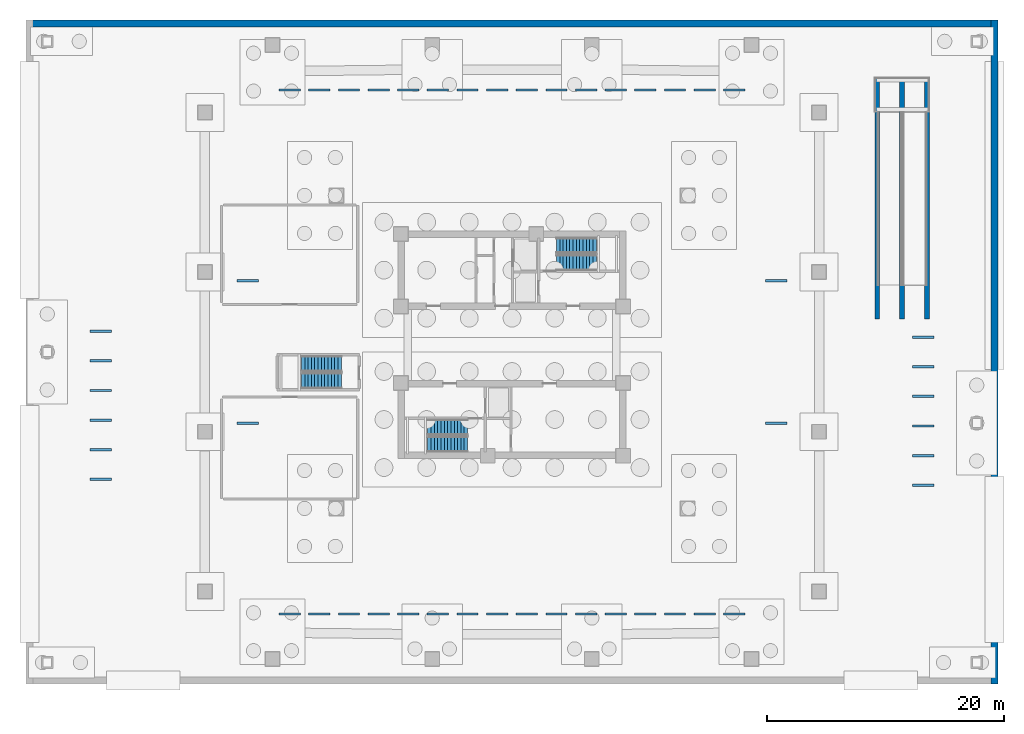
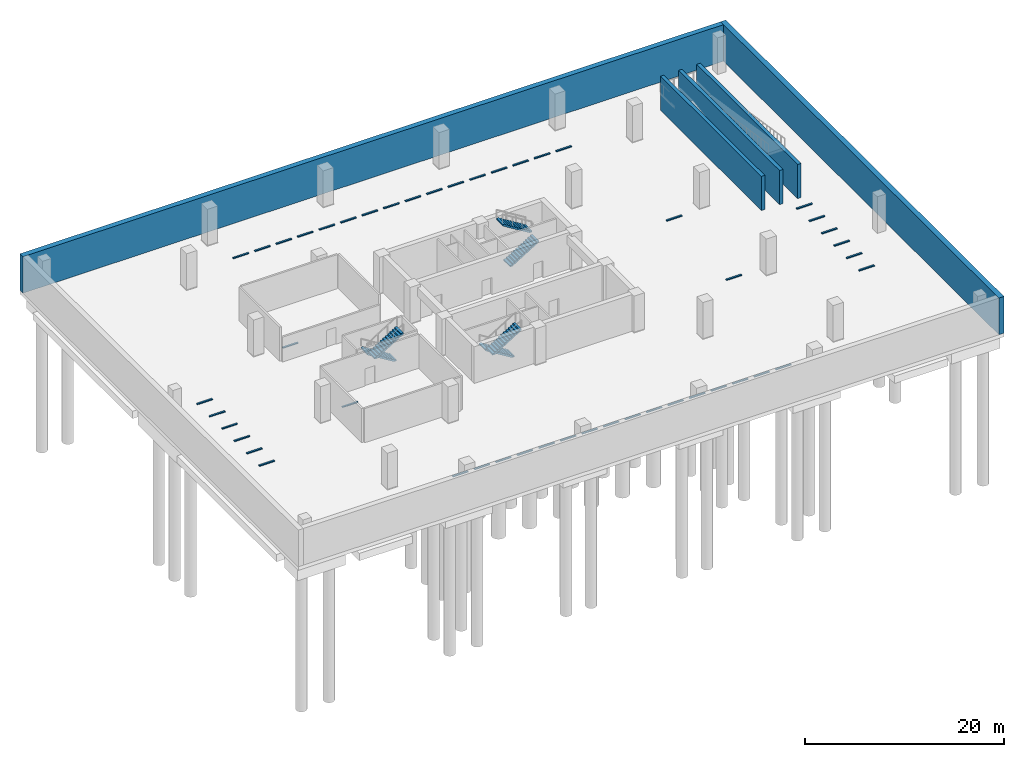
# One storey, part 5 of 8: 48 discrete accessories, 6 stair flights, 5 walls, 3 elements without a shape of their own.
"""IFC4 building model written with IfcOpenShell, lengths in metres."""

from ifc_helpers import new_model, si_unit, direction, frame, frame_2d, origin, origin_2d, place, context, subcontext, project, spatial, polyline, rectangle, outline, extrude, material, layer, layer_set, type_object, element, aggregate, save


model = new_model("IFC4")

# Units and contexts
model_context = context("Model", 3, precision=1e-05, world=origin(), true_north=direction((0.0, 1.0)))
body_context = subcontext(model_context, "Body", "Model", "MODEL_VIEW")
ifc_project = project(units=[si_unit("LENGTHUNIT", "METRE"), si_unit("AREAUNIT", "SQUARE_METRE"), si_unit("VOLUMEUNIT", "CUBIC_METRE"), si_unit("PLANEANGLEUNIT", "RADIAN"), si_unit("MASSUNIT", "GRAM", prefix="KILO")], contexts=[model_context])

# Site, building, storey
site_placement = place(None, origin())
site = spatial("IfcSite", under=ifc_project, at=site_placement, CompositionType="ELEMENT")
building_placement = place(site_placement, origin())
building = spatial("IfcBuilding", under=site, at=building_placement, Name="Qhalaya Broadcast Tower", CompositionType="ELEMENT")
storey_placement = place(building_placement, frame((0.0, 0.0, -9.0)))
storey = spatial("IfcBuildingStorey", under=building, at=storey_placement, Name="B02", CompositionType="ELEMENT", Elevation=-9.0)

# Walls
ifc_material_1 = material(Name="Concrete C45/55", Category="concrete")
ifc_layer_1 = layer(ifc_material_1, 0.60009765625, Name="Concrete C45/55")
ifc_layer_set_1 = layer_set([ifc_layer_1], Name="Concrete C45/55")
wall_type_1 = type_object("IfcWallType", Name="Basement Perimeter Retaining Wall 600", PredefinedType="USERDEFINED", material=ifc_layer_set_1)
wall_1_placement = place(storey_placement, frame((-41.0, 27.699951171875, 0.0), z_axis=(0.0, 0.0, 1.0), x_axis=(1.0, 0.0, 0.0)))
element("IfcWall", 1, at=wall_1_placement, inside=storey, type_object=wall_type_1, Name="B02 Basement Retaining Wall RW-N", ObjectType="RETAININGWALL", PredefinedType="USERDEFINED", context=body_context, shape_type="SweptSolid", body=[
    extrude(rectangle(XDim=82.0, YDim=0.60009765625, at=frame_2d((41.0, 0.0))), origin(), (0.0, 0.0, 1.0), 4.5),
])
wall_2_placement = place(storey_placement, frame((40.699951171875, -28.0, 0.0), z_axis=(0.0, 0.0, 1.0), x_axis=(0.0, 1.0, 0.0)))
element("IfcWall", 2, at=wall_2_placement, inside=storey, type_object=wall_type_1, Name="B02 Basement Retaining Wall RW-E", ObjectType="RETAININGWALL", PredefinedType="USERDEFINED", context=body_context, shape_type="SweptSolid", body=[
    extrude(rectangle(XDim=56.0, YDim=0.60009765625, at=frame_2d((28.0, 0.0))), origin(), (0.0, 0.0, 1.0), 4.5),
])
ifc_material_2 = material(Name="Concrete C60/75", Category="concrete")
ifc_layer_2 = layer(ifc_material_2, 0.550048828125, Name="Concrete C60/75")
ifc_layer_set_2 = layer_set([ifc_layer_2], Name="Concrete C60/75")
wall_type_2 = type_object("IfcWallType", Name="Lower Split-Core Shear Wall 550", PredefinedType="SHEAR", material=ifc_layer_set_2)
for number, where, z_axis, x_axis, name in (
    (3, (30.800048828125, 2.800048828125, 0.0), (0.0, 0.0, 1.0), (0.0, 1.0, 0.0), "B02 Vehicle Ramp Support Wall RMW-W"),
    (4, (32.89990234375, 2.800048828125, 0.0), (0.0, 0.0, 1.0), (0.0, 1.0, 0.0), "B02 Vehicle Ramp Support Wall RMW-M"),
    (5, (35.0, 2.800048828125, 0.0), (0.0, 0.0, 1.0), (0.0, 1.0, 0.0), "B02 Vehicle Ramp Support Wall RMW-E"),
):
    element("IfcWall", number, at=place(storey_placement, frame(where, z_axis=z_axis, x_axis=x_axis)), inside=storey, type_object=wall_type_2, Name=name, PredefinedType="SHEAR", context=body_context, shape_type="SweptSolid", body=[
        extrude(rectangle(XDim=20.300048828125, YDim=0.39990234375, at=frame_2d((10.14990234375, 0.0))), origin(), (0.0, 0.0, 1.0), 4.199951171875),
    ])

# Stair, stair flights
ifc_material_3 = material(Name="Concrete C40/50", Category="concrete")
stair_type = type_object("IfcStairType", Name="Protected Dogleg Core Stair 4500", PredefinedType="TWO_STRAIGHT_RUN_STAIR", material=ifc_material_3)
stair_1_placement = place(storey_placement, origin())
stair_1 = element("IfcStair", 6, at=stair_1_placement, inside=storey, type_object=stair_type, Name="B02 North Core Exit Stair ST-1", PredefinedType="TWO_STRAIGHT_RUN_STAIR")
ifc_material_4 = material(Name="Precast Concrete C40/50", Category="concrete")
stair_flight_type = type_object("IfcStairFlightType", Name="Precast Concrete Stair Flight 4500", PredefinedType="STRAIGHT", material=ifc_material_4)
stair_flight_1_placement = place(storey_placement, frame((3.75, 7.5400390625, 0.0), z_axis=(0.0, 0.0, 1.0), x_axis=(1.0, 0.0, 0.0)))
stair_flight_1 = element("IfcStairFlight", 7, at=stair_flight_1_placement, type_object=stair_flight_type, Name="ST-1 flight 1", NumberOfRisers=13, NumberOfTreads=12, PredefinedType="STRAIGHT", RiserHeight=0.173076923, TreadLength=0.28, context=body_context, shape_type="SweptSolid", body=[
    extrude(outline(polyline([(0.0, 0.0), (0.0, 0.173095703125), (0.280029296875, 0.173095703125), (0.280029296875, 0.34619140625), (0.56005859375, 0.34619140625), (0.56005859375, 0.519287109375), (0.840087890625, 0.519287109375), (0.840087890625, 0.6923828125), (1.1201171875, 0.6923828125), (1.1201171875, 0.865478515625), (1.39990234375, 0.865478515625), (1.39990234375, 1.03857421875), (1.679931640625, 1.03857421875), (1.679931640625, 1.21142578125), (1.9599609375, 1.21142578125), (1.9599609375, 1.384521484375), (2.239990234375, 1.384521484375), (2.239990234375, 1.5576171875), (2.52001953125, 1.5576171875), (2.52001953125, 1.730712890625), (2.800048828125, 1.730712890625), (2.800048828125, 1.90380859375), (3.080078125, 1.90380859375), (3.080078125, 2.076904296875), (3.360107421875, 2.076904296875), (3.360107421875, 2.25), (3.360107421875, 1.900634765625), (0.28515625, 0.0), (0.0, 0.0)])), frame((0.0, 0.66015625, 0.0), z_axis=(0.0, -1.0, 0.0), x_axis=(1.0, 0.0, 0.0)), (0.0, 0.0, 1.0), 1.320068359375),
])
stair_flight_2_placement = place(storey_placement, frame((7.110107421875, 8.97998046875, 2.25), z_axis=(0.0, 0.0, 1.0), x_axis=(-1.0, 0.0, 0.0)))
stair_flight_2 = element("IfcStairFlight", 8, at=stair_flight_2_placement, type_object=stair_flight_type, Name="ST-1 flight 2", NumberOfRisers=13, NumberOfTreads=12, PredefinedType="STRAIGHT", RiserHeight=0.173076923, TreadLength=0.28, context=body_context, shape_type="SweptSolid", body=[
    extrude(outline(polyline([(0.0, 0.0), (0.0, 0.173095703125), (0.280029296875, 0.173095703125), (0.280029296875, 0.34619140625), (0.56005859375, 0.34619140625), (0.56005859375, 0.519287109375), (0.840087890625, 0.519287109375), (0.840087890625, 0.6923828125), (1.1201171875, 0.6923828125), (1.1201171875, 0.865478515625), (1.39990234375, 0.865478515625), (1.39990234375, 1.03857421875), (1.679931640625, 1.03857421875), (1.679931640625, 1.21142578125), (1.9599609375, 1.21142578125), (1.9599609375, 1.384521484375), (2.239990234375, 1.384521484375), (2.239990234375, 1.5576171875), (2.52001953125, 1.5576171875), (2.52001953125, 1.730712890625), (2.800048828125, 1.730712890625), (2.800048828125, 1.90380859375), (3.080078125, 1.90380859375), (3.080078125, 2.076904296875), (3.360107421875, 2.076904296875), (3.360107421875, 2.25), (3.360107421875, 1.900634765625), (0.28515625, 0.0), (0.0, 0.0)])), frame((0.0, 0.66015625, 0.0), z_axis=(0.0, -1.0, 0.0), x_axis=(1.0, 0.0, 0.0)), (0.0, 0.0, 1.0), 1.320068359375),
])
aggregate(stair_1, [stair_flight_1, stair_flight_2])

stair_2_placement = place(storey_placement, origin())
stair_2 = element("IfcStair", 9, at=stair_2_placement, inside=storey, type_object=stair_type, Name="B02 South Core Exit Stair ST-2", PredefinedType="TWO_STRAIGHT_RUN_STAIR")
stair_flight_3_placement = place(storey_placement, frame((-3.75, -6.340087890625, 0.0), z_axis=(0.0, 0.0, 1.0), x_axis=(-1.0, 0.0, 0.0)))
stair_flight_3 = element("IfcStairFlight", 10, at=stair_flight_3_placement, type_object=stair_flight_type, Name="ST-2 flight 1", NumberOfRisers=13, NumberOfTreads=12, PredefinedType="STRAIGHT", RiserHeight=0.173076923, TreadLength=0.28, context=body_context, shape_type="SweptSolid", body=[
    extrude(outline(polyline([(0.0, 0.0), (0.0, 0.173095703125), (0.280029296875, 0.173095703125), (0.280029296875, 0.34619140625), (0.56005859375, 0.34619140625), (0.56005859375, 0.519287109375), (0.840087890625, 0.519287109375), (0.840087890625, 0.6923828125), (1.1201171875, 0.6923828125), (1.1201171875, 0.865478515625), (1.39990234375, 0.865478515625), (1.39990234375, 1.03857421875), (1.679931640625, 1.03857421875), (1.679931640625, 1.21142578125), (1.9599609375, 1.21142578125), (1.9599609375, 1.384521484375), (2.239990234375, 1.384521484375), (2.239990234375, 1.5576171875), (2.52001953125, 1.5576171875), (2.52001953125, 1.730712890625), (2.800048828125, 1.730712890625), (2.800048828125, 1.90380859375), (3.080078125, 1.90380859375), (3.080078125, 2.076904296875), (3.360107421875, 2.076904296875), (3.360107421875, 2.25), (3.360107421875, 1.900634765625), (0.28515625, 0.0), (0.0, 0.0)])), frame((0.0, 0.66015625, 0.0), z_axis=(0.0, -1.0, 0.0), x_axis=(1.0, 0.0, 0.0)), (0.0, 0.0, 1.0), 1.320068359375),
])
stair_flight_4_placement = place(storey_placement, frame((-7.110107421875, -7.780029296875, 2.25), z_axis=(0.0, 0.0, 1.0), x_axis=(1.0, 0.0, 0.0)))
stair_flight_4 = element("IfcStairFlight", 11, at=stair_flight_4_placement, type_object=stair_flight_type, Name="ST-2 flight 2", NumberOfRisers=13, NumberOfTreads=12, PredefinedType="STRAIGHT", RiserHeight=0.173076923, TreadLength=0.28, context=body_context, shape_type="SweptSolid", body=[
    extrude(outline(polyline([(0.0, 0.0), (0.0, 0.173095703125), (0.280029296875, 0.173095703125), (0.280029296875, 0.34619140625), (0.56005859375, 0.34619140625), (0.56005859375, 0.519287109375), (0.840087890625, 0.519287109375), (0.840087890625, 0.6923828125), (1.1201171875, 0.6923828125), (1.1201171875, 0.865478515625), (1.39990234375, 0.865478515625), (1.39990234375, 1.03857421875), (1.679931640625, 1.03857421875), (1.679931640625, 1.21142578125), (1.9599609375, 1.21142578125), (1.9599609375, 1.384521484375), (2.239990234375, 1.384521484375), (2.239990234375, 1.5576171875), (2.52001953125, 1.5576171875), (2.52001953125, 1.730712890625), (2.800048828125, 1.730712890625), (2.800048828125, 1.90380859375), (3.080078125, 1.90380859375), (3.080078125, 2.076904296875), (3.360107421875, 2.076904296875), (3.360107421875, 2.25), (3.360107421875, 1.900634765625), (0.28515625, 0.0), (0.0, 0.0)])), frame((0.0, 0.66015625, 0.0), z_axis=(0.0, -1.0, 0.0), x_axis=(1.0, 0.0, 0.0)), (0.0, 0.0, 1.0), 1.320068359375),
])
aggregate(stair_2, [stair_flight_3, stair_flight_4])

stair_3_placement = place(storey_placement, origin())
stair_3 = element("IfcStair", 12, at=stair_3_placement, inside=storey, type_object=stair_type, Name="B02 Podium West Escape Stair ST-P1", PredefinedType="TWO_STRAIGHT_RUN_STAIR")
stair_flight_5_placement = place(storey_placement, frame((-14.39990234375, -1.0, 0.0), z_axis=(0.0, 0.0, 1.0), x_axis=(-1.0, 0.0, 0.0)))
stair_flight_5 = element("IfcStairFlight", 13, at=stair_flight_5_placement, type_object=stair_flight_type, Name="ST-P1 flight 1", NumberOfRisers=13, NumberOfTreads=12, PredefinedType="STRAIGHT", RiserHeight=0.173076923, TreadLength=0.28, context=body_context, shape_type="SweptSolid", body=[
    extrude(outline(polyline([(0.0, 0.0), (0.0, 0.173095703125), (0.280029296875, 0.173095703125), (0.280029296875, 0.34619140625), (0.56005859375, 0.34619140625), (0.56005859375, 0.519287109375), (0.840087890625, 0.519287109375), (0.840087890625, 0.6923828125), (1.1201171875, 0.6923828125), (1.1201171875, 0.865478515625), (1.39990234375, 0.865478515625), (1.39990234375, 1.03857421875), (1.679931640625, 1.03857421875), (1.679931640625, 1.21142578125), (1.9599609375, 1.21142578125), (1.9599609375, 1.384521484375), (2.239990234375, 1.384521484375), (2.239990234375, 1.5576171875), (2.52001953125, 1.5576171875), (2.52001953125, 1.730712890625), (2.800048828125, 1.730712890625), (2.800048828125, 1.90380859375), (3.080078125, 1.90380859375), (3.080078125, 2.076904296875), (3.360107421875, 2.076904296875), (3.360107421875, 2.25), (3.360107421875, 1.900634765625), (0.28515625, 0.0), (0.0, 0.0)])), frame((0.0, 0.66015625, 0.0), z_axis=(0.0, -1.0, 0.0), x_axis=(1.0, 0.0, 0.0)), (0.0, 0.0, 1.0), 1.320068359375),
])
stair_flight_6_placement = place(storey_placement, frame((-17.760009765625, -2.43994140625, 2.25), z_axis=(0.0, 0.0, 1.0), x_axis=(1.0, 0.0, 0.0)))
stair_flight_6 = element("IfcStairFlight", 14, at=stair_flight_6_placement, type_object=stair_flight_type, Name="ST-P1 flight 2", NumberOfRisers=13, NumberOfTreads=12, PredefinedType="STRAIGHT", RiserHeight=0.173076923, TreadLength=0.28, context=body_context, shape_type="SweptSolid", body=[
    extrude(outline(polyline([(0.0, 0.0), (0.0, 0.173095703125), (0.280029296875, 0.173095703125), (0.280029296875, 0.34619140625), (0.56005859375, 0.34619140625), (0.56005859375, 0.519287109375), (0.840087890625, 0.519287109375), (0.840087890625, 0.6923828125), (1.1201171875, 0.6923828125), (1.1201171875, 0.865478515625), (1.39990234375, 0.865478515625), (1.39990234375, 1.03857421875), (1.679931640625, 1.03857421875), (1.679931640625, 1.21142578125), (1.9599609375, 1.21142578125), (1.9599609375, 1.384521484375), (2.239990234375, 1.384521484375), (2.239990234375, 1.5576171875), (2.52001953125, 1.5576171875), (2.52001953125, 1.730712890625), (2.800048828125, 1.730712890625), (2.800048828125, 1.90380859375), (3.080078125, 1.90380859375), (3.080078125, 2.076904296875), (3.360107421875, 2.076904296875), (3.360107421875, 2.25), (3.360107421875, 1.900634765625), (0.28515625, 0.0), (0.0, 0.0)])), frame((0.0, 0.66015625, 0.0), z_axis=(0.0, -1.0, 0.0), x_axis=(1.0, 0.0, 0.0)), (0.0, 0.0, 1.0), 1.320068359375),
])
aggregate(stair_3, [stair_flight_5, stair_flight_6])

# Discrete accessories
discrete_accessory_type = type_object("IfcDiscreteAccessoryType", Name="Parking Stall Wheel Stop & Bay Marker PKB-01", PredefinedType="USERDEFINED", material=ifc_material_4)
for number, where, z_axis, x_axis, name in (
    (15, (-18.75, 22.10009765625, 0.0), (0.0, 0.0, 1.0), (1.0, 0.0, 0.0), "Car Parking Bay PK-01"),
    (16, (-16.25, 22.10009765625, 0.0), (0.0, 0.0, 1.0), (1.0, 0.0, 0.0), "Car Parking Bay PK-02"),
    (17, (-13.75, 22.10009765625, 0.0), (0.0, 0.0, 1.0), (1.0, 0.0, 0.0), "Car Parking Bay PK-03"),
    (18, (-11.25, 22.10009765625, 0.0), (0.0, 0.0, 1.0), (1.0, 0.0, 0.0), "Car Parking Bay PK-04"),
    (19, (-8.75, 22.10009765625, 0.0), (0.0, 0.0, 1.0), (1.0, 0.0, 0.0), "Car Parking Bay PK-05"),
    (20, (-6.25, 22.10009765625, 0.0), (0.0, 0.0, 1.0), (1.0, 0.0, 0.0), "Car Parking Bay PK-06"),
    (21, (-3.75, 22.10009765625, 0.0), (0.0, 0.0, 1.0), (1.0, 0.0, 0.0), "Car Parking Bay PK-07"),
    (22, (-1.25, 22.10009765625, 0.0), (0.0, 0.0, 1.0), (1.0, 0.0, 0.0), "Car Parking Bay PK-08"),
    (23, (1.25, 22.10009765625, 0.0), (0.0, 0.0, 1.0), (1.0, 0.0, 0.0), "Car Parking Bay PK-09"),
    (24, (3.75, 22.10009765625, 0.0), (0.0, 0.0, 1.0), (1.0, 0.0, 0.0), "Car Parking Bay PK-10"),
    (25, (6.25, 22.10009765625, 0.0), (0.0, 0.0, 1.0), (1.0, 0.0, 0.0), "Car Parking Bay PK-11"),
    (26, (8.75, 22.10009765625, 0.0), (0.0, 0.0, 1.0), (1.0, 0.0, 0.0), "Car Parking Bay PK-12"),
    (27, (11.25, 22.10009765625, 0.0), (0.0, 0.0, 1.0), (1.0, 0.0, 0.0), "Car Parking Bay PK-13"),
    (28, (13.75, 22.10009765625, 0.0), (0.0, 0.0, 1.0), (1.0, 0.0, 0.0), "Car Parking Bay PK-14"),
    (29, (16.25, 22.10009765625, 0.0), (0.0, 0.0, 1.0), (1.0, 0.0, 0.0), "Car Parking Bay PK-15"),
    (30, (18.75, 22.10009765625, 0.0), (0.0, 0.0, 1.0), (1.0, 0.0, 0.0), "Car Parking Bay PK-16"),
    (31, (-18.75, -22.10009765625, 0.0), (0.0, 0.0, 1.0), (1.0, 0.0, 0.0), "Car Parking Bay PK-17"),
    (32, (-16.25, -22.10009765625, 0.0), (0.0, 0.0, 1.0), (1.0, 0.0, 0.0), "Car Parking Bay PK-18"),
    (33, (-13.75, -22.10009765625, 0.0), (0.0, 0.0, 1.0), (1.0, 0.0, 0.0), "Car Parking Bay PK-19"),
    (34, (-11.25, -22.10009765625, 0.0), (0.0, 0.0, 1.0), (1.0, 0.0, 0.0), "Car Parking Bay PK-20"),
    (35, (-8.75, -22.10009765625, 0.0), (0.0, 0.0, 1.0), (1.0, 0.0, 0.0), "Car Parking Bay PK-21"),
    (36, (-6.25, -22.10009765625, 0.0), (0.0, 0.0, 1.0), (1.0, 0.0, 0.0), "Car Parking Bay PK-22"),
    (37, (-3.75, -22.10009765625, 0.0), (0.0, 0.0, 1.0), (1.0, 0.0, 0.0), "Car Parking Bay PK-23"),
    (38, (-1.25, -22.10009765625, 0.0), (0.0, 0.0, 1.0), (1.0, 0.0, 0.0), "Car Parking Bay PK-24"),
    (39, (1.25, -22.10009765625, 0.0), (0.0, 0.0, 1.0), (1.0, 0.0, 0.0), "Car Parking Bay PK-25"),
    (40, (3.75, -22.10009765625, 0.0), (0.0, 0.0, 1.0), (1.0, 0.0, 0.0), "Car Parking Bay PK-26"),
    (41, (6.25, -22.10009765625, 0.0), (0.0, 0.0, 1.0), (1.0, 0.0, 0.0), "Car Parking Bay PK-27"),
    (42, (8.75, -22.10009765625, 0.0), (0.0, 0.0, 1.0), (1.0, 0.0, 0.0), "Car Parking Bay PK-28"),
    (43, (11.25, -22.10009765625, 0.0), (0.0, 0.0, 1.0), (1.0, 0.0, 0.0), "Car Parking Bay PK-29"),
    (44, (13.75, -22.10009765625, 0.0), (0.0, 0.0, 1.0), (1.0, 0.0, 0.0), "Car Parking Bay PK-30"),
    (45, (16.25, -22.10009765625, 0.0), (0.0, 0.0, 1.0), (1.0, 0.0, 0.0), "Car Parking Bay PK-31"),
    (46, (18.75, -22.10009765625, 0.0), (0.0, 0.0, 1.0), (1.0, 0.0, 0.0), "Car Parking Bay PK-32"),
    (47, (-34.699951171875, -10.75, 0.0), (0.0, 0.0, 1.0), (1.0, 0.0, 0.0), "Car Parking Bay PK-33"),
    (48, (-34.699951171875, -8.25, 0.0), (0.0, 0.0, 1.0), (1.0, 0.0, 0.0), "Car Parking Bay PK-34"),
    (49, (-34.699951171875, -5.75, 0.0), (0.0, 0.0, 1.0), (1.0, 0.0, 0.0), "Car Parking Bay PK-35"),
    (50, (-34.699951171875, -3.25, 0.0), (0.0, 0.0, 1.0), (1.0, 0.0, 0.0), "Car Parking Bay PK-36"),
    (51, (-34.699951171875, -0.75, 0.0), (0.0, 0.0, 1.0), (1.0, 0.0, 0.0), "Car Parking Bay PK-37"),
    (52, (-34.699951171875, 1.75, 0.0), (0.0, 0.0, 1.0), (1.0, 0.0, 0.0), "Car Parking Bay PK-38"),
    (53, (34.699951171875, -11.25, 0.0), (0.0, 0.0, 1.0), (1.0, 0.0, 0.0), "Car Parking Bay PK-39"),
    (54, (34.699951171875, -8.75, 0.0), (0.0, 0.0, 1.0), (1.0, 0.0, 0.0), "Car Parking Bay PK-40"),
    (55, (34.699951171875, -6.25, 0.0), (0.0, 0.0, 1.0), (1.0, 0.0, 0.0), "Car Parking Bay PK-41"),
    (56, (34.699951171875, -3.75, 0.0), (0.0, 0.0, 1.0), (1.0, 0.0, 0.0), "Car Parking Bay PK-42"),
    (57, (34.699951171875, -1.25, 0.0), (0.0, 0.0, 1.0), (1.0, 0.0, 0.0), "Car Parking Bay PK-43"),
    (58, (34.699951171875, 1.25, 0.0), (0.0, 0.0, 1.0), (1.0, 0.0, 0.0), "Car Parking Bay PK-44"),
    (59, (-22.300048828125, -6.0, 0.0), (0.0, 0.0, 1.0), (1.0, 0.0, 0.0), "Accessible Parking Bay PK-45"),
    (60, (-22.300048828125, 6.0, 0.0), (0.0, 0.0, 1.0), (1.0, 0.0, 0.0), "Accessible Parking Bay PK-46"),
    (61, (22.300048828125, -6.0, 0.0), (0.0, 0.0, 1.0), (1.0, 0.0, 0.0), "Accessible Parking Bay PK-47"),
    (62, (22.300048828125, 6.0, 0.0), (0.0, 0.0, 1.0), (1.0, 0.0, 0.0), "Accessible Parking Bay PK-48"),
):
    element("IfcDiscreteAccessory", number, at=place(storey_placement, frame(where, z_axis=z_axis, x_axis=x_axis)), inside=storey, type_object=discrete_accessory_type, Name=name, ObjectType="PARKING BAY MARKING", PredefinedType="USERDEFINED", context=body_context, shape_type="SweptSolid", body=[
        extrude(rectangle(XDim=1.800048828125, YDim=0.199951171875, at=origin_2d()), origin(), (0.0, 0.0, 1.0), 0.1201171875),
    ])

save(model, "model.ifc")
